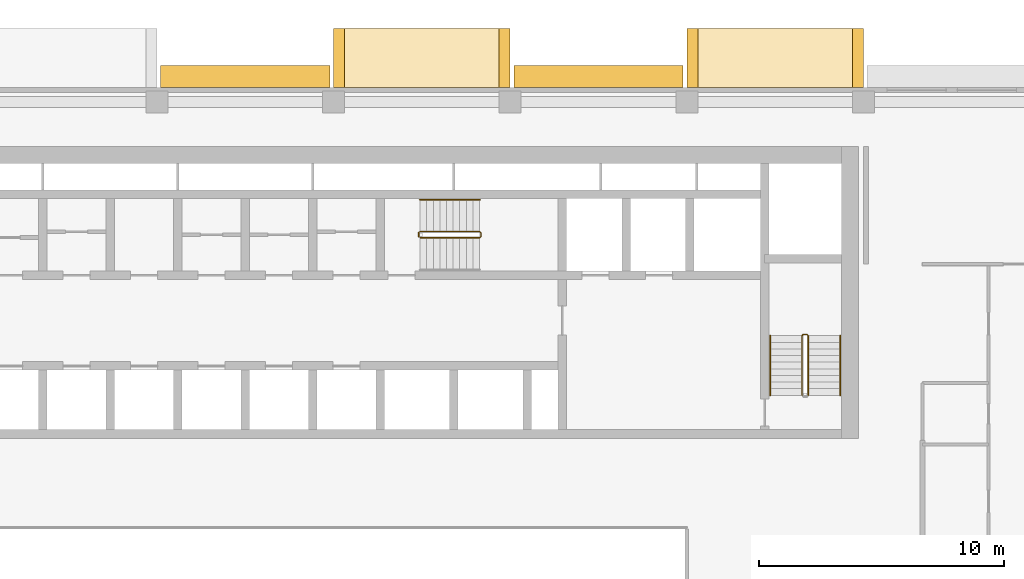
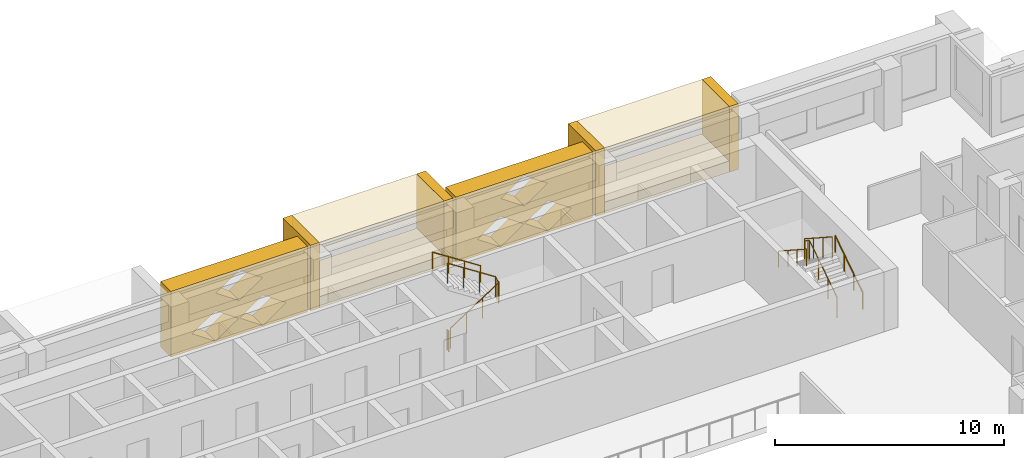
# One storey, part 19 of 20: 10 coverings, 6 railings.
"""IFC4 building model written with IfcOpenShell, lengths in metres."""

from ifc_helpers import new_model, si_unit, direction, frame, origin, origin_2d, place, context, subcontext, project, spatial, polyline, circle, outline, extrude, material, type_object, element, save


model = new_model("IFC4")

# Units and contexts
model_context = context("Model", 3, precision=1e-05, world=origin(), true_north=direction((0.0, 1.0)))
body_context = subcontext(model_context, "Body", "Model", "MODEL_VIEW")
ifc_project = project(units=[si_unit("LENGTHUNIT", "METRE"), si_unit("AREAUNIT", "SQUARE_METRE"), si_unit("VOLUMEUNIT", "CUBIC_METRE"), si_unit("PLANEANGLEUNIT", "RADIAN"), si_unit("MASSUNIT", "GRAM", prefix="KILO")], contexts=[model_context])

# Site, building, storey
site_placement = place(None, origin())
site = spatial("IfcSite", under=ifc_project, at=site_placement, CompositionType="ELEMENT")
building_placement = place(site_placement, origin())
building = spatial("IfcBuilding", under=site, at=building_placement, Name="Saffron Iwan Residences", CompositionType="ELEMENT")
storey_placement = place(building_placement, frame((0.0, 0.0, 127.0)))
storey = spatial("IfcBuildingStorey", under=building, at=storey_placement, Name="L33", CompositionType="ELEMENT", Elevation=127.0)

# Coverings
ifc_material_1 = material(Name="Precast concrete C40/50", Category="concrete")
covering_type_1 = type_object("IfcCoveringType", Name="OUTER SKIN LATTICE SCREEN", PredefinedType="CLADDING", material=ifc_material_1)
for number, where, z_axis, x_axis, name in (
    (1, (64.64990234375, 80.39990234375, -0.300048828125), (0.0, 1.0, 0.0), (-1.0, 0.0, 0.0), "OUTER SKIN lattice screen L33 F5.1"),
    (2, (50.25, 80.39990234375, -0.300048828125), (0.0, 1.0, 0.0), (-1.0, 0.0, 0.0), "OUTER SKIN lattice screen L33 F5.2"),
):
    element("IfcCovering", number, at=place(storey_placement, frame(where, z_axis=z_axis, x_axis=x_axis)), inside=storey, type_object=covering_type_1, Name=name, PredefinedType="CLADDING", context=body_context, shape_type="SweptSolid", body=[
        extrude(outline(polyline([(0.0, 0.0), (6.89990234375, 0.0), (6.89990234375, 3.5), (0.0, 3.5), (0.0, 0.0)]), holes=[polyline([(1.070068359375, 0.875), (2.25, 0.06005859375), (3.429931640625, 0.875), (2.25, 1.68994140625), (1.070068359375, 0.875)]), polyline([(3.469970703125, 0.875), (4.64990234375, 0.06005859375), (5.830078125, 0.875), (4.64990234375, 1.68994140625), (3.469970703125, 0.875)]), polyline([(2.27001953125, 2.625), (3.449951171875, 1.81005859375), (4.6298828125, 2.625), (3.449951171875, 3.43994140625), (2.27001953125, 2.625)])]), origin(), (0.0, 0.0, 1.0), 0.900146484375),
    ])

# Railings
ifc_material_2 = material(Name="Steel S355", Category="steel")
railing_type_1 = type_object("IfcRailingType", Name="Stair guard 1100", PredefinedType="GUARDRAIL", material=ifc_material_2)
railing_1_placement = place(storey_placement, frame((53.925048828125, 74.27490234375, 0.175048828125)))
element("IfcRailing", 3, at=railing_1_placement, inside=storey, type_object=railing_type_1, Name="L33 ST-C stair guard 1", PredefinedType="GUARDRAIL", context=body_context, shape_type="SweptSolid", body=[
    extrude(circle(Radius=0.02392578125, at=origin_2d()), frame((0.0, 0.0, 1.076171875), z_axis=(0.839153699163, 0.0, 0.543894354798), x_axis=(0.0, 1.0, 0.0)), (0.0, 0.0, 1.0), 2.895751953125),
    extrude(circle(Radius=0.02392578125, at=origin_2d()), frame((2.429931640625, 0.0, 2.65087890625), z_axis=(0.707106781187, 0.707106781187, 0.0), x_axis=(-0.707106781187, 0.707106781187, 0.0)), (0.0, 0.0, 1.0), 0.07080078125),
    extrude(circle(Radius=0.02392578125, at=origin_2d()), frame((2.47998046875, 0.050048828125, 2.65087890625), z_axis=(0.0, 1.0, 0.0), x_axis=(-1.0, 0.0, 0.0)), (0.0, 0.0, 1.0), 0.150146484375),
    extrude(circle(Radius=0.02392578125, at=origin_2d()), frame((2.47998046875, 0.2001953125, 2.65087890625), z_axis=(-0.265155923931, 0.263862480399, 0.927399011991), x_axis=(-0.705375805398, -0.708833529934, 0.0)), (0.0, 0.0, 1.0), 0.188720703125),
    extrude(circle(Radius=0.02392578125, at=origin_2d()), frame((2.429931640625, 0.25, 2.826171875), z_axis=(-0.839153699163, 0.0, 0.543894354798), x_axis=(0.0, -1.0, 0.0)), (0.0, 0.0, 1.0), 2.895751953125),
    extrude(circle(Radius=0.02099609375, at=origin_2d()), origin(), (0.0, 0.0, 1.0), 1.052001953125),
    extrude(circle(Radius=0.02099609375, at=origin_2d()), frame((0.81005859375, 0.0, 0.52490234375)), (0.0, 0.0, 1.0), 1.052001953125),
    extrude(circle(Radius=0.02099609375, at=origin_2d()), frame((1.619873046875, 0.0, 1.050048828125)), (0.0, 0.0, 1.0), 1.052001953125),
    extrude(circle(Radius=0.02099609375, at=origin_2d()), frame((2.429931640625, 0.0, 1.574951171875)), (0.0, 0.0, 1.0), 1.052001953125),
    extrude(circle(Radius=0.02099609375, at=origin_2d()), frame((2.47998046875, 0.050048828125, 1.574951171875)), (0.0, 0.0, 1.0), 1.052001953125),
    extrude(circle(Radius=0.02099609375, at=origin_2d()), frame((2.47998046875, 0.2001953125, 1.574951171875)), (0.0, 0.0, 1.0), 1.052001953125),
    extrude(circle(Radius=0.02099609375, at=origin_2d()), frame((2.429931640625, 0.25, 1.75)), (0.0, 0.0, 1.0), 1.052001953125),
    extrude(circle(Radius=0.02099609375, at=origin_2d()), frame((1.619873046875, 0.25, 2.27490234375)), (0.0, 0.0, 1.0), 1.052001953125),
    extrude(circle(Radius=0.02099609375, at=origin_2d()), frame((0.81005859375, 0.25, 2.800048828125)), (0.0, 0.0, 1.0), 1.052001953125),
    extrude(circle(Radius=0.02099609375, at=origin_2d()), frame((0.0, 0.25, 3.324951171875)), (0.0, 0.0, 1.0), 1.052001953125),
])
railing_2_placement = place(storey_placement, frame((53.875, 74.324951171875, 0.0)))
element("IfcRailing", 4, at=railing_2_placement, inside=storey, type_object=railing_type_1, Name="L33 ST-C stair guard 2", PredefinedType="GUARDRAIL", context=body_context, shape_type="SweptSolid", body=[
    extrude(circle(Radius=0.02392578125, at=origin_2d()), frame((0.0, 0.0, 1.076171875), z_axis=(0.0, 1.0, 0.0), x_axis=(-1.0, 0.0, 0.0)), (0.0, 0.0, 1.0), 0.150146484375),
    extrude(circle(Radius=0.02099609375, at=origin_2d()), origin(), (0.0, 0.0, 1.0), 1.052001953125),
    extrude(circle(Radius=0.02099609375, at=origin_2d()), frame((0.0, 0.150146484375, 0.0)), (0.0, 0.0, 1.0), 1.052001953125),
])
railing_3_placement = place(storey_placement, frame((69.75, 67.85009765625, 0.175048828125)))
element("IfcRailing", 5, at=railing_3_placement, inside=storey, type_object=railing_type_1, Name="L33 ST-E stair guard 1", PredefinedType="GUARDRAIL", context=body_context, shape_type="SweptSolid", body=[
    extrude(circle(Radius=0.02392578125, at=origin_2d()), frame((0.0, 0.0, 1.076171875), z_axis=(0.0, 0.839153699163, 0.543894354798), x_axis=(-1.0, 0.0, 0.0)), (0.0, 0.0, 1.0), 2.895751953125),
    extrude(circle(Radius=0.02392578125, at=origin_2d()), frame((0.0, 2.429931640625, 2.65087890625), z_axis=(-0.707106781187, 0.707106781187, 0.0), x_axis=(-0.707106781187, -0.707106781187, 0.0)), (0.0, 0.0, 1.0), 0.07080078125),
    extrude(circle(Radius=0.02392578125, at=origin_2d()), frame((-0.050048828125, 2.47998046875, 2.65087890625), z_axis=(-1.0, 0.0, 0.0), x_axis=(0.0, -1.0, 0.0)), (0.0, 0.0, 1.0), 0.14990234375),
    extrude(circle(Radius=0.02392578125, at=origin_2d()), frame((-0.199951171875, 2.47998046875, 2.65087890625), z_axis=(-0.265065253269, -0.265065253269, 0.927081885822), x_axis=(0.707106781187, -0.707106781187, 0.0)), (0.0, 0.0, 1.0), 0.188720703125),
    extrude(circle(Radius=0.02392578125, at=origin_2d()), frame((-0.25, 2.429931640625, 2.826171875), z_axis=(0.0, -0.839153699163, 0.543894354798), x_axis=(1.0, 0.0, 0.0)), (0.0, 0.0, 1.0), 2.895751953125),
    extrude(circle(Radius=0.02099609375, at=origin_2d()), origin(), (0.0, 0.0, 1.0), 1.052001953125),
    extrude(circle(Radius=0.02099609375, at=origin_2d()), frame((0.0, 0.81005859375, 0.52490234375)), (0.0, 0.0, 1.0), 1.052001953125),
    extrude(circle(Radius=0.02099609375, at=origin_2d()), frame((0.0, 1.619873046875, 1.050048828125)), (0.0, 0.0, 1.0), 1.052001953125),
    extrude(circle(Radius=0.02099609375, at=origin_2d()), frame((0.0, 2.429931640625, 1.574951171875)), (0.0, 0.0, 1.0), 1.052001953125),
    extrude(circle(Radius=0.02099609375, at=origin_2d()), frame((-0.050048828125, 2.47998046875, 1.574951171875)), (0.0, 0.0, 1.0), 1.052001953125),
    extrude(circle(Radius=0.02099609375, at=origin_2d()), frame((-0.199951171875, 2.47998046875, 1.574951171875)), (0.0, 0.0, 1.0), 1.052001953125),
    extrude(circle(Radius=0.02099609375, at=origin_2d()), frame((-0.25, 2.429931640625, 1.75)), (0.0, 0.0, 1.0), 1.052001953125),
    extrude(circle(Radius=0.02099609375, at=origin_2d()), frame((-0.25, 1.619873046875, 2.27490234375)), (0.0, 0.0, 1.0), 1.052001953125),
    extrude(circle(Radius=0.02099609375, at=origin_2d()), frame((-0.25, 0.81005859375, 2.800048828125)), (0.0, 0.0, 1.0), 1.052001953125),
    extrude(circle(Radius=0.02099609375, at=origin_2d()), frame((-0.25, 0.0, 3.324951171875)), (0.0, 0.0, 1.0), 1.052001953125),
])
ifc_material_3 = material(Name="Stainless steel 316", Category="steel")
railing_type_2 = type_object("IfcRailingType", Name="Stair handrail 900", PredefinedType="HANDRAIL", material=ifc_material_3)
railing_4_placement = place(storey_placement, frame((56.35498046875, 75.824951171875, 1.925048828125)))
element("IfcRailing", 6, at=railing_4_placement, inside=storey, type_object=railing_type_2, Name="L33 ST-C stair handrail 2", PredefinedType="HANDRAIL", context=body_context, shape_type="SweptSolid", body=[
    extrude(circle(Radius=0.02392578125, at=origin_2d()), frame((0.0, 0.0, 0.8759765625), z_axis=(-0.839153699163, 0.0, 0.543894354798), x_axis=(0.0, -1.0, 0.0)), (0.0, 0.0, 1.0), 2.895751953125),
    extrude(circle(Radius=0.02099609375, at=origin_2d()), origin(), (0.0, 0.0, 1.0), 0.851806640625),
    extrude(circle(Radius=0.02099609375, at=origin_2d()), frame((-0.81005859375, 0.0, 0.52490234375)), (0.0, 0.0, 1.0), 0.851806640625),
    extrude(circle(Radius=0.02099609375, at=origin_2d()), frame((-1.619873046875, 0.0, 1.050048828125)), (0.0, 0.0, 1.0), 0.851806640625),
    extrude(circle(Radius=0.02099609375, at=origin_2d()), frame((-2.429931640625, 0.0, 1.574951171875)), (0.0, 0.0, 1.0), 0.851806640625),
])
railing_5_placement = place(storey_placement, frame((71.050048828125, 67.85009765625, 0.175048828125)))
element("IfcRailing", 7, at=railing_5_placement, inside=storey, type_object=railing_type_2, Name="L33 ST-E stair handrail 1", PredefinedType="HANDRAIL", context=body_context, shape_type="SweptSolid", body=[
    extrude(circle(Radius=0.02392578125, at=origin_2d()), frame((0.0, 0.0, 0.8759765625), z_axis=(0.0, 0.839153699163, 0.543894354798), x_axis=(-1.0, 0.0, 0.0)), (0.0, 0.0, 1.0), 2.895751953125),
    extrude(circle(Radius=0.02099609375, at=origin_2d()), origin(), (0.0, 0.0, 1.0), 0.851806640625),
    extrude(circle(Radius=0.02099609375, at=origin_2d()), frame((0.0, 0.81005859375, 0.52490234375)), (0.0, 0.0, 1.0), 0.851806640625),
    extrude(circle(Radius=0.02099609375, at=origin_2d()), frame((0.0, 1.619873046875, 1.050048828125)), (0.0, 0.0, 1.0), 0.851806640625),
    extrude(circle(Radius=0.02099609375, at=origin_2d()), frame((0.0, 2.429931640625, 1.574951171875)), (0.0, 0.0, 1.0), 0.851806640625),
])
railing_6_placement = place(storey_placement, frame((68.199951171875, 70.280029296875, 1.925048828125)))
element("IfcRailing", 8, at=railing_6_placement, inside=storey, type_object=railing_type_2, Name="L33 ST-E stair handrail 2", PredefinedType="HANDRAIL", context=body_context, shape_type="SweptSolid", body=[
    extrude(circle(Radius=0.02392578125, at=origin_2d()), frame((0.0, 0.0, 0.8759765625), z_axis=(0.0, -0.839153699163, 0.543894354798), x_axis=(1.0, 0.0, 0.0)), (0.0, 0.0, 1.0), 2.895751953125),
    extrude(circle(Radius=0.02099609375, at=origin_2d()), origin(), (0.0, 0.0, 1.0), 0.851806640625),
    extrude(circle(Radius=0.02099609375, at=origin_2d()), frame((0.0, -0.81005859375, 0.52490234375)), (0.0, 0.0, 1.0), 0.851806640625),
    extrude(circle(Radius=0.02099609375, at=origin_2d()), frame((0.0, -1.619873046875, 1.050048828125)), (0.0, 0.0, 1.0), 0.851806640625),
    extrude(circle(Radius=0.02099609375, at=origin_2d()), frame((0.0, -2.429931640625, 1.574951171875)), (0.0, 0.0, 1.0), 0.851806640625),
])

# Coverings
ifc_material_4 = material(Name="Precast concrete C40/50 white painted", Category="concrete")
covering_type_2 = type_object("IfcCoveringType", Name="WHITE SUN FRAME PRECAST", PredefinedType="CLADDING", material=ifc_material_4)
for number, where, z_axis, x_axis, name in (
    (9, (72.0, 80.39990234375, -0.300048828125), (0.0, 1.0, 0.0), (-1.0, 0.0, 0.0), "Sun frame L33 F5 10.8a"),
    (10, (65.25, 80.39990234375, -0.300048828125), (0.0, 1.0, 0.0), (-1.0, 0.0, 0.0), "Sun frame L33 F5 10.8b"),
):
    element("IfcCovering", number, at=place(storey_placement, frame(where, z_axis=z_axis, x_axis=x_axis)), inside=storey, type_object=covering_type_2, Name=name, PredefinedType="CLADDING", context=body_context, shape_type="SweptSolid", body=[
        extrude(outline(polyline([(0.0, 0.0), (0.449951171875, 0.0), (0.449951171875, 3.5), (0.0, 3.5), (0.0, 0.0)])), origin(), (0.0, 0.0, 1.0), 2.400146484375),
    ])
for number, where, z_axis, x_axis, name in (
    (11, (71.550048828125, 80.39990234375, 2.60009765625), (0.0, 1.0, 0.0), (-1.0, 0.0, 0.0), "Sun frame L33 F5 10.8h"),
    (12, (71.550048828125, 80.39990234375, -0.300048828125), (0.0, 1.0, 0.0), (-1.0, 0.0, 0.0), "Sun frame L33 F5 10.8s"),
):
    element("IfcCovering", number, at=place(storey_placement, frame(where, z_axis=z_axis, x_axis=x_axis)), inside=storey, type_object=covering_type_2, Name=name, PredefinedType="CLADDING", context=body_context, shape_type="SweptSolid", body=[
        extrude(outline(polyline([(0.0, 0.0), (6.300048828125, 0.0), (6.300048828125, 0.60009765625), (0.0, 0.60009765625), (0.0, 0.0)])), origin(), (0.0, 0.0, 1.0), 2.400146484375),
    ])
for number, where, z_axis, x_axis, name in (
    (13, (57.60009765625, 80.39990234375, -0.300048828125), (0.0, 1.0, 0.0), (-1.0, 0.0, 0.0), "Sun frame L33 F5 25.2a"),
    (14, (50.85009765625, 80.39990234375, -0.300048828125), (0.0, 1.0, 0.0), (-1.0, 0.0, 0.0), "Sun frame L33 F5 25.2b"),
):
    element("IfcCovering", number, at=place(storey_placement, frame(where, z_axis=z_axis, x_axis=x_axis)), inside=storey, type_object=covering_type_2, Name=name, PredefinedType="CLADDING", context=body_context, shape_type="SweptSolid", body=[
        extrude(outline(polyline([(0.0, 0.0), (0.449951171875, 0.0), (0.449951171875, 3.5), (0.0, 3.5), (0.0, 0.0)])), origin(), (0.0, 0.0, 1.0), 2.400146484375),
    ])
for number, where, z_axis, x_axis, name in (
    (15, (57.14990234375, 80.39990234375, 2.60009765625), (0.0, 1.0, 0.0), (-1.0, 0.0, 0.0), "Sun frame L33 F5 25.2h"),
    (16, (57.14990234375, 80.39990234375, -0.300048828125), (0.0, 1.0, 0.0), (-1.0, 0.0, 0.0), "Sun frame L33 F5 25.2s"),
):
    element("IfcCovering", number, at=place(storey_placement, frame(where, z_axis=z_axis, x_axis=x_axis)), inside=storey, type_object=covering_type_2, Name=name, PredefinedType="CLADDING", context=body_context, shape_type="SweptSolid", body=[
        extrude(outline(polyline([(0.0, 0.0), (6.300048828125, 0.0), (6.300048828125, 0.60009765625), (0.0, 0.60009765625), (0.0, 0.0)])), origin(), (0.0, 0.0, 1.0), 2.400146484375),
    ])

save(model, "model.ifc")
